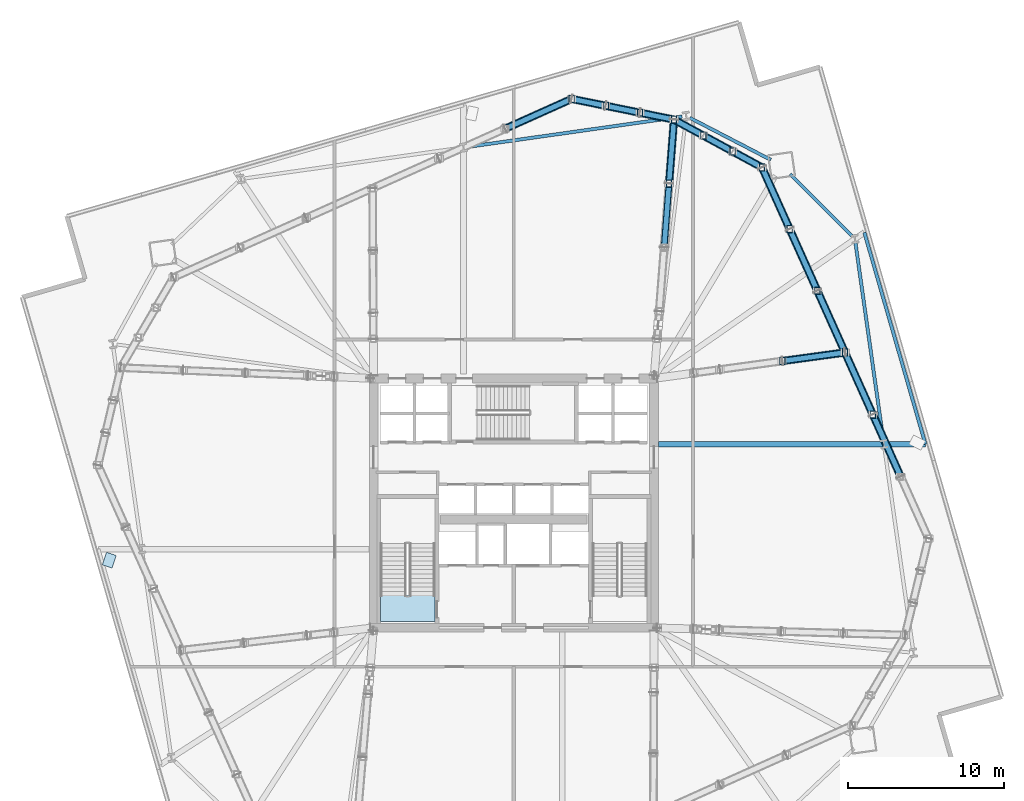
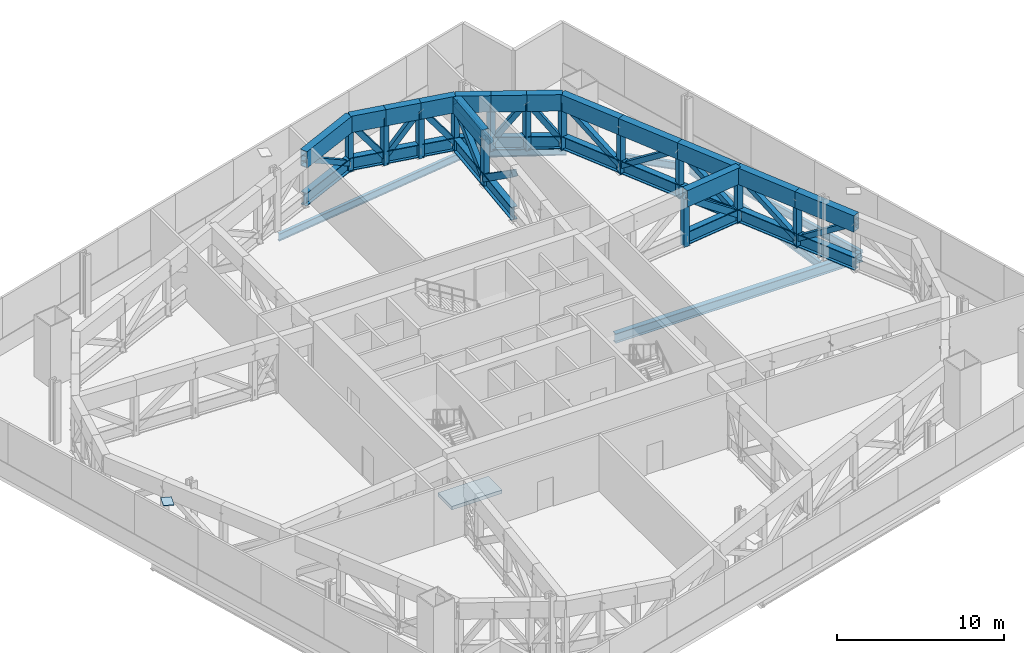
# One storey, part 6 of 19: 57 members, 6 beams, 1 plate, 1 slab.
"""IFC4 building model written with IfcOpenShell, lengths in metres."""

from ifc_helpers import new_model, si_unit, direction, frame, origin, origin_2d, place, context, subcontext, project, spatial, polyline, rectangle, hollow_rectangle, i_section, outline, extrude, source, transform, mapped, material, layer, layer_set, material_profile, profile_set, type_object, element, save


model = new_model("IFC4")

# Units and contexts
model_context = context("Model", 3, precision=1e-05, world=origin(), true_north=direction((0.0, 1.0)))
body_context = subcontext(model_context, "Body", "Model", "MODEL_VIEW")
ifc_project = project(units=[si_unit("LENGTHUNIT", "METRE"), si_unit("AREAUNIT", "SQUARE_METRE"), si_unit("VOLUMEUNIT", "CUBIC_METRE"), si_unit("PLANEANGLEUNIT", "RADIAN"), si_unit("MASSUNIT", "GRAM", prefix="KILO")], contexts=[model_context])

# Site, building, storey
site_placement = place(None, origin())
site = spatial("IfcSite", under=ifc_project, at=site_placement, CompositionType="ELEMENT")
building_placement = place(site_placement, origin())
building = spatial("IfcBuilding", under=site, at=building_placement, Name="Haldenkirk Collegiate Tower", CompositionType="ELEMENT")
storey_placement = place(building_placement, frame((0.0, 0.0, 81.449951171875)))
storey = spatial("IfcBuildingStorey", under=building, at=storey_placement, Name="L19", CompositionType="ELEMENT", Elevation=81.449951171875)

# Beams
ifc_material_1 = material(Name="Steel ASTM A992 Grade 50", Category="steel")
ifc_material_profile_1 = material_profile(ifc_material_1, i_section(OverallWidth=0.35498046875, OverallDepth=0.696044921875, WebThickness=0.015380859375, FlangeThickness=0.02490234375, at=origin_2d()), Name="W27X146")
ifc_profile_set_1 = profile_set([ifc_material_profile_1], Name="Steel ASTM A992 Grade 50")
beam_type_1 = type_object("IfcBeamType", Name="BM-GIRDER-W27X146", PredefinedType="BEAM", material=ifc_profile_set_1)
beam_1_placement = place(storey_placement, frame((62.415283203125, 29.788818359375, -0.758056640625), z_axis=(-1.0, 0.0, 0.0), x_axis=(0.0, -1.0, 0.0)))
element("IfcBeam", 1, at=beam_1_placement, inside=storey, type_object=beam_type_1, Name="L19 primary floor girder 09", PredefinedType="BEAM", context=body_context, shape_type="SweptSolid", body=[
    extrude(i_section(OverallWidth=0.35498046875, OverallDepth=0.696044921875, WebThickness=0.015380859375, FlangeThickness=0.02490234375, at=origin_2d()), origin(), (0.0, 0.0, 1.0), 17.13525390625),
])
ifc_material_profile_2 = material_profile(ifc_material_1, i_section(OverallWidth=0.2119140625, OverallDepth=0.5439453125, WebThickness=0.01318359375, FlangeThickness=0.021240234375, at=origin_2d()), Name="W21X83")
ifc_profile_set_2 = profile_set([ifc_material_profile_2], Name="Steel ASTM A992 Grade 50")
beam_type_2 = type_object("IfcBeamType", Name="BM-SPANDREL-W21X83", PredefinedType="SPANDREL", material=ifc_profile_set_2)
beam_2_placement = place(storey_placement, frame((59.716552734375, 30.050537109375, -0.681884765625), z_axis=(-0.140052642207, 0.990144058918, 0.0), x_axis=(-0.990144058918, -0.140052642207, 0.0)))
element("IfcBeam", 2, at=beam_2_placement, inside=storey, type_object=beam_type_2, Name="L19 perimeter spandrel beam 07", PredefinedType="SPANDREL", context=body_context, shape_type="SweptSolid", body=[
    extrude(i_section(OverallWidth=0.2119140625, OverallDepth=0.5439453125, WebThickness=0.01318359375, FlangeThickness=0.021240234375, at=origin_2d()), origin(), (0.0, 0.0, 1.0), 12.761962890625),
])
beam_3_placement = place(storey_placement, frame((57.70556640625, 43.135986328125, -0.681884765625), z_axis=(-0.706085689957, 0.708126400043, 0.0), x_axis=(-0.708126400043, -0.706085689957, 0.0)))
element("IfcBeam", 3, at=beam_3_placement, inside=storey, type_object=beam_type_2, Name="L19 perimeter spandrel beam 08", PredefinedType="SPANDREL", context=body_context, shape_type="SweptSolid", body=[
    extrude(i_section(OverallWidth=0.2119140625, OverallDepth=0.5439453125, WebThickness=0.01318359375, FlangeThickness=0.021240234375, at=origin_2d()), origin(), (0.0, 0.0, 1.0), 5.622802734375),
])
beam_4_placement = place(storey_placement, frame((52.4921875, 48.029296875, -0.681884765625), z_axis=(-0.887648364794, 0.460521856678, 0.0), x_axis=(-0.460521856678, -0.887648364794, 0.0)))
element("IfcBeam", 4, at=beam_4_placement, inside=storey, type_object=beam_type_2, Name="L19 perimeter spandrel beam 09", PredefinedType="SPANDREL", context=body_context, shape_type="SweptSolid", body=[
    extrude(i_section(OverallWidth=0.2119140625, OverallDepth=0.5439453125, WebThickness=0.01318359375, FlangeThickness=0.021240234375, at=origin_2d()), origin(), (0.0, 0.0, 1.0), 5.848388671875),
])
beam_5_placement = place(storey_placement, frame((46.803955078125, 50.807373046875, -0.681884765625), z_axis=(-0.990146197746, -0.14003752029, 0.0), x_axis=(0.14003752029, -0.990146197746, 0.0)))
element("IfcBeam", 5, at=beam_5_placement, inside=storey, type_object=beam_type_2, Name="L19 perimeter spandrel beam 10", PredefinedType="SPANDREL", context=body_context, shape_type="SweptSolid", body=[
    extrude(i_section(OverallWidth=0.2119140625, OverallDepth=0.5439453125, WebThickness=0.01318359375, FlangeThickness=0.021240234375, at=origin_2d()), origin(), (0.0, 0.0, 1.0), 13.906982421875),
])
beam_6_placement = place(storey_placement, frame((62.415283203125, 29.788818359375, -0.681884765625), z_axis=(-0.277305094503, 0.960781913112, 0.0), x_axis=(-0.960781913112, -0.277305094503, 0.0)))
element("IfcBeam", 6, at=beam_6_placement, inside=storey, type_object=beam_type_2, Name="L19 outer facade edge beam 2", PredefinedType="SPANDREL", context=body_context, shape_type="SweptSolid", body=[
    extrude(i_section(OverallWidth=0.2119140625, OverallDepth=0.5439453125, WebThickness=0.01318359375, FlangeThickness=0.021240234375, at=origin_2d()), origin(), (0.0, 0.0, 1.0), 14.133056640625),
])

# Members
ifc_material_2 = material(Name="Steel ASTM A572 Grade 50", Category="steel")
ifc_material_profile_3 = material_profile(ifc_material_2, hollow_rectangle(XDim=0.5, YDim=1.199951171875, WallThickness=0.050048828125, at=origin_2d()), Name="BOX1200X500X50")
ifc_profile_set_3 = profile_set([ifc_material_profile_3], Name="Steel ASTM A572 Grade 50")
member_type_1 = type_object("IfcMemberType", Name="MBR-CHORD-BOX1200", PredefinedType="CHORD", material=ifc_profile_set_3)
member_1_placement = place(storey_placement, frame((45.964599609375, 46.507568359375, 3.489990234375), z_axis=(0.076896136918, 0.997039108625, 0.0), x_axis=(-0.997039108625, 0.076896136918, 0.0)))
element("IfcMember", 7, at=member_1_placement, inside=storey, type_object=member_type_1, Name="Outrigger Truss L19 Radial 03 top chord 5", PredefinedType="CHORD", context=body_context, shape_type="SweptSolid", body=[
    extrude(hollow_rectangle(XDim=0.5, YDim=1.199951171875, WallThickness=0.050048828125, at=origin_2d()), origin(), (0.0, 0.0, 1.0), 4.11474609375),
])
member_2_placement = place(storey_placement, frame((53.236083984375, 35.12060546875, 3.489990234375), z_axis=(0.990876992047, 0.134769383137, 0.0), x_axis=(-0.134769383137, 0.990876992047, 0.0)))
element("IfcMember", 8, at=member_2_placement, inside=storey, type_object=member_type_1, Name="Outrigger Truss L19 Radial 06 top chord 4", PredefinedType="CHORD", context=body_context, shape_type="SweptSolid", body=[
    extrude(hollow_rectangle(XDim=0.5, YDim=1.199951171875, WallThickness=0.050048828125, at=origin_2d()), origin(), (0.0, 0.0, 1.0), 4.05615234375),
])
for number, where, z_axis, x_axis, name in (
    (9, (60.82421875, 27.707275390625, 3.489990234375), (-0.409112154166, 0.912484106883, 0.0), (-0.912484106883, -0.409112154166, 0.0), "Belt Truss L19-06 top chord 2"),
    (10, (59.039794921875, 31.687255859375, 3.489990234375), (-0.409158757836, 0.912463210703, 0.0), (-0.912463210703, -0.409158757836, 0.0), "Belt Truss L19-06 top chord 3"),
):
    element("IfcMember", number, at=place(storey_placement, frame(where, z_axis=z_axis, x_axis=x_axis)), inside=storey, type_object=member_type_1, Name=name, PredefinedType="CHORD", context=body_context, shape_type="SweptSolid", body=[
        extrude(hollow_rectangle(XDim=0.5, YDim=1.199951171875, WallThickness=0.050048828125, at=origin_2d()), origin(), (0.0, 0.0, 1.0), 4.36181640625),
    ])
member_3_placement = place(storey_placement, frame((57.255126953125, 35.667236328125, 3.489990234375), z_axis=(-0.409133464518, 0.91247455209, 0.0), x_axis=(-0.91247455209, -0.409133464518, 0.0)))
element("IfcMember", 11, at=member_3_placement, inside=storey, type_object=member_type_1, Name="Belt Truss L19-07 top chord 1", PredefinedType="CHORD", context=body_context, shape_type="SweptSolid", body=[
    extrude(hollow_rectangle(XDim=0.5, YDim=1.199951171875, WallThickness=0.050048828125, at=origin_2d()), origin(), (0.0, 0.0, 1.0), 4.338134765625),
])
for number, where, z_axis, x_axis, name in (
    (12, (55.480224609375, 39.625732421875, 3.489990234375), (-0.409112455957, 0.912483971575, 0.0), (-0.912483971575, -0.409112455957, 0.0), "Belt Truss L19-07 top chord 2"),
    (13, (53.705322265625, 43.58447265625, 3.489990234375), (-0.409112455957, 0.912483971575, 0.0), (-0.912483971575, -0.409112455957, 0.0), "Belt Truss L19-07 top chord 3"),
):
    element("IfcMember", number, at=place(storey_placement, frame(where, z_axis=z_axis, x_axis=x_axis)), inside=storey, type_object=member_type_1, Name=name, PredefinedType="CHORD", context=body_context, shape_type="SweptSolid", body=[
        extrude(hollow_rectangle(XDim=0.5, YDim=1.199951171875, WallThickness=0.050048828125, at=origin_2d()), origin(), (0.0, 0.0, 1.0), 4.33837890625),
    ])
member_4_placement = place(storey_placement, frame((51.930419921875, 47.543212890625, 3.489990234375), z_axis=(-0.878856161728, 0.477086833807, 0.0), x_axis=(-0.477086833807, -0.878856161728, 0.0)))
element("IfcMember", 14, at=member_4_placement, inside=storey, type_object=member_type_1, Name="Belt Truss L19-08 top chord 1", PredefinedType="CHORD", context=body_context, shape_type="SweptSolid", body=[
    extrude(hollow_rectangle(XDim=0.5, YDim=1.199951171875, WallThickness=0.050048828125, at=origin_2d()), origin(), (0.0, 0.0, 1.0), 2.142578125),
])
for number, where, z_axis, x_axis, name in (
    (15, (50.04736328125, 48.5654296875, 3.489990234375), (-0.878808383928, 0.477174836236, 0.0), (-0.477174836236, -0.878808383928, 0.0), "Belt Truss L19-08 top chord 2"),
    (16, (48.164306640625, 49.587890625, 3.489990234375), (-0.878882093017, 0.477039061896, 0.0), (-0.477039061896, -0.878882093017, 0.0), "Belt Truss L19-08 top chord 3"),
):
    element("IfcMember", number, at=place(storey_placement, frame(where, z_axis=z_axis, x_axis=x_axis)), inside=storey, type_object=member_type_1, Name=name, PredefinedType="CHORD", context=body_context, shape_type="SweptSolid", body=[
        extrude(hollow_rectangle(XDim=0.5, YDim=1.199951171875, WallThickness=0.050048828125, at=origin_2d()), origin(), (0.0, 0.0, 1.0), 2.142822265625),
    ])
for number, where, z_axis, x_axis, name in (
    (17, (46.281005859375, 50.610107421875, 3.489990234375), (-0.980064236837, 0.198680878984, 0.0), (-0.198680878984, -0.980064236837, 0.0), "Belt Truss L19-09 top chord 1"),
    (18, (44.0927734375, 51.0537109375, 3.489990234375), (-0.980064236837, 0.198680878984, 0.0), (-0.198680878984, -0.980064236837, 0.0), "Belt Truss L19-09 top chord 2"),
    (19, (41.904541015625, 51.497314453125, 3.489990234375), (-0.980064236837, 0.198680878984, 0.0), (-0.198680878984, -0.980064236837, 0.0), "Belt Truss L19-09 top chord 3"),
):
    element("IfcMember", number, at=place(storey_placement, frame(where, z_axis=z_axis, x_axis=x_axis)), inside=storey, type_object=member_type_1, Name=name, PredefinedType="CHORD", context=body_context, shape_type="SweptSolid", body=[
        extrude(hollow_rectangle(XDim=0.5, YDim=1.199951171875, WallThickness=0.050048828125, at=origin_2d()), origin(), (0.0, 0.0, 1.0), 2.232666015625),
    ])
member_5_placement = place(storey_placement, frame((39.71630859375, 51.94091796875, 3.489990234375), z_axis=(-0.912471623482, -0.409139996016, 0.0), x_axis=(0.409139996016, -0.912471623482, 0.0)))
element("IfcMember", 20, at=member_5_placement, inside=storey, type_object=member_type_1, Name="Belt Truss L19-10 top chord 1", PredefinedType="CHORD", context=body_context, shape_type="SweptSolid", body=[
    extrude(hollow_rectangle(XDim=0.5, YDim=1.199951171875, WallThickness=0.050048828125, at=origin_2d()), origin(), (0.0, 0.0, 1.0), 4.668212890625),
])
ifc_material_3 = material(Name="Steel ASTM A913 Grade 65", Category="steel")
ifc_material_profile_4 = material_profile(ifc_material_3, i_section(OverallWidth=0.423095703125, OverallDepth=0.947998046875, WebThickness=0.02392578125, FlangeThickness=0.042724609375, at=origin_2d()), Name="W36X302")
ifc_profile_set_4 = profile_set([ifc_material_profile_4], Name="Steel ASTM A913 Grade 65")
member_type_2 = type_object("IfcMemberType", Name="MBR-CHORD-W36X302", PredefinedType="CHORD", material=ifc_profile_set_4)
member_6_placement = place(storey_placement, frame((45.648193359375, 42.40478515625, 0.550048828125), z_axis=(0.076891588184, 0.997039459433, 0.0), x_axis=(-0.997039459433, 0.076891588184, 0.0)))
element("IfcMember", 21, at=member_6_placement, inside=storey, type_object=member_type_2, Name="Outrigger Truss L19 Radial 03 bottom chord 4", PredefinedType="CHORD", context=body_context, shape_type="SweptSolid", body=[
    extrude(i_section(OverallWidth=0.423095703125, OverallDepth=0.947998046875, WebThickness=0.02392578125, FlangeThickness=0.042724609375, at=origin_2d()), origin(), (0.0, 0.0, 1.0), 4.114990234375),
])
member_7_placement = place(storey_placement, frame((45.964599609375, 46.507568359375, 0.550048828125), z_axis=(0.076896136918, 0.997039108625, 0.0), x_axis=(-0.997039108625, 0.076896136918, 0.0)))
element("IfcMember", 22, at=member_7_placement, inside=storey, type_object=member_type_2, Name="Outrigger Truss L19 Radial 03 bottom chord 5", PredefinedType="CHORD", context=body_context, shape_type="SweptSolid", body=[
    extrude(i_section(OverallWidth=0.423095703125, OverallDepth=0.947998046875, WebThickness=0.02392578125, FlangeThickness=0.042724609375, at=origin_2d()), origin(), (0.0, 0.0, 1.0), 4.11474609375),
])
member_8_placement = place(storey_placement, frame((53.236083984375, 35.12060546875, 0.550048828125), z_axis=(0.990876992047, 0.134769383137, 0.0), x_axis=(-0.134769383137, 0.990876992047, 0.0)))
element("IfcMember", 23, at=member_8_placement, inside=storey, type_object=member_type_2, Name="Outrigger Truss L19 Radial 06 bottom chord 4", PredefinedType="CHORD", context=body_context, shape_type="SweptSolid", body=[
    extrude(i_section(OverallWidth=0.423095703125, OverallDepth=0.947998046875, WebThickness=0.02392578125, FlangeThickness=0.042724609375, at=origin_2d()), origin(), (0.0, 0.0, 1.0), 4.05615234375),
])
for number, where, z_axis, x_axis, name in (
    (24, (60.82421875, 27.707275390625, 0.550048828125), (-0.409112154166, 0.912484106883, 0.0), (-0.912484106883, -0.409112154166, 0.0), "Belt Truss L19-06 bottom chord 2"),
    (25, (59.039794921875, 31.687255859375, 0.550048828125), (-0.409158757836, 0.912463210703, 0.0), (-0.912463210703, -0.409158757836, 0.0), "Belt Truss L19-06 bottom chord 3"),
):
    element("IfcMember", number, at=place(storey_placement, frame(where, z_axis=z_axis, x_axis=x_axis)), inside=storey, type_object=member_type_2, Name=name, PredefinedType="CHORD", context=body_context, shape_type="SweptSolid", body=[
        extrude(i_section(OverallWidth=0.423095703125, OverallDepth=0.947998046875, WebThickness=0.02392578125, FlangeThickness=0.042724609375, at=origin_2d()), origin(), (0.0, 0.0, 1.0), 4.36181640625),
    ])
member_9_placement = place(storey_placement, frame((57.255126953125, 35.667236328125, 0.550048828125), z_axis=(-0.409133464518, 0.91247455209, 0.0), x_axis=(-0.91247455209, -0.409133464518, 0.0)))
element("IfcMember", 26, at=member_9_placement, inside=storey, type_object=member_type_2, Name="Belt Truss L19-07 bottom chord 1", PredefinedType="CHORD", context=body_context, shape_type="SweptSolid", body=[
    extrude(i_section(OverallWidth=0.423095703125, OverallDepth=0.947998046875, WebThickness=0.02392578125, FlangeThickness=0.042724609375, at=origin_2d()), origin(), (0.0, 0.0, 1.0), 4.338134765625),
])
for number, where, z_axis, x_axis, name in (
    (27, (55.480224609375, 39.625732421875, 0.550048828125), (-0.409112455957, 0.912483971575, 0.0), (-0.912483971575, -0.409112455957, 0.0), "Belt Truss L19-07 bottom chord 2"),
    (28, (53.705322265625, 43.58447265625, 0.550048828125), (-0.409112455957, 0.912483971575, 0.0), (-0.912483971575, -0.409112455957, 0.0), "Belt Truss L19-07 bottom chord 3"),
):
    element("IfcMember", number, at=place(storey_placement, frame(where, z_axis=z_axis, x_axis=x_axis)), inside=storey, type_object=member_type_2, Name=name, PredefinedType="CHORD", context=body_context, shape_type="SweptSolid", body=[
        extrude(i_section(OverallWidth=0.423095703125, OverallDepth=0.947998046875, WebThickness=0.02392578125, FlangeThickness=0.042724609375, at=origin_2d()), origin(), (0.0, 0.0, 1.0), 4.33837890625),
    ])
member_10_placement = place(storey_placement, frame((51.930419921875, 47.543212890625, 0.550048828125), z_axis=(-0.878856161728, 0.477086833807, 0.0), x_axis=(-0.477086833807, -0.878856161728, 0.0)))
element("IfcMember", 29, at=member_10_placement, inside=storey, type_object=member_type_2, Name="Belt Truss L19-08 bottom chord 1", PredefinedType="CHORD", context=body_context, shape_type="SweptSolid", body=[
    extrude(i_section(OverallWidth=0.423095703125, OverallDepth=0.947998046875, WebThickness=0.02392578125, FlangeThickness=0.042724609375, at=origin_2d()), origin(), (0.0, 0.0, 1.0), 2.142578125),
])
for number, where, z_axis, x_axis, name in (
    (30, (50.04736328125, 48.5654296875, 0.550048828125), (-0.878808383928, 0.477174836236, 0.0), (-0.477174836236, -0.878808383928, 0.0), "Belt Truss L19-08 bottom chord 2"),
    (31, (48.164306640625, 49.587890625, 0.550048828125), (-0.878882093017, 0.477039061896, 0.0), (-0.477039061896, -0.878882093017, 0.0), "Belt Truss L19-08 bottom chord 3"),
):
    element("IfcMember", number, at=place(storey_placement, frame(where, z_axis=z_axis, x_axis=x_axis)), inside=storey, type_object=member_type_2, Name=name, PredefinedType="CHORD", context=body_context, shape_type="SweptSolid", body=[
        extrude(i_section(OverallWidth=0.423095703125, OverallDepth=0.947998046875, WebThickness=0.02392578125, FlangeThickness=0.042724609375, at=origin_2d()), origin(), (0.0, 0.0, 1.0), 2.142822265625),
    ])
for number, where, z_axis, x_axis, name in (
    (32, (46.281005859375, 50.610107421875, 0.550048828125), (-0.980064236837, 0.198680878984, 0.0), (-0.198680878984, -0.980064236837, 0.0), "Belt Truss L19-09 bottom chord 1"),
    (33, (44.0927734375, 51.0537109375, 0.550048828125), (-0.980064236837, 0.198680878984, 0.0), (-0.198680878984, -0.980064236837, 0.0), "Belt Truss L19-09 bottom chord 2"),
    (34, (41.904541015625, 51.497314453125, 0.550048828125), (-0.980064236837, 0.198680878984, 0.0), (-0.198680878984, -0.980064236837, 0.0), "Belt Truss L19-09 bottom chord 3"),
):
    element("IfcMember", number, at=place(storey_placement, frame(where, z_axis=z_axis, x_axis=x_axis)), inside=storey, type_object=member_type_2, Name=name, PredefinedType="CHORD", context=body_context, shape_type="SweptSolid", body=[
        extrude(i_section(OverallWidth=0.423095703125, OverallDepth=0.947998046875, WebThickness=0.02392578125, FlangeThickness=0.042724609375, at=origin_2d()), origin(), (0.0, 0.0, 1.0), 2.232666015625),
    ])
member_11_placement = place(storey_placement, frame((39.71630859375, 51.94091796875, 0.550048828125), z_axis=(-0.912471623482, -0.409139996016, 0.0), x_axis=(0.409139996016, -0.912471623482, 0.0)))
element("IfcMember", 35, at=member_11_placement, inside=storey, type_object=member_type_2, Name="Belt Truss L19-10 bottom chord 1", PredefinedType="CHORD", context=body_context, shape_type="SweptSolid", body=[
    extrude(i_section(OverallWidth=0.423095703125, OverallDepth=0.947998046875, WebThickness=0.02392578125, FlangeThickness=0.042724609375, at=origin_2d()), origin(), (0.0, 0.0, 1.0), 4.668212890625),
])
ifc_material_profile_5 = material_profile(ifc_material_2, hollow_rectangle(XDim=0.35009765625, YDim=0.35009765625, WallThickness=0.01611328125, at=origin_2d()), Name="HSS350X350X16")
ifc_profile_set_5 = profile_set([ifc_material_profile_5], Name="Steel ASTM A572 Grade 50")
member_type_3 = type_object("IfcMemberType", Name="MBR-TRUSSDIAG-HSS350X350X16", PredefinedType="BRACE", material=ifc_profile_set_5)
for number, where, z_axis, x_axis, name in (
    (36, (60.82421875, 27.707275390625, 3.489990234375), (-0.339243654435, 0.756649343904, -0.558923530812), (-0.912484106883, -0.409112154166, 0.0), "Belt Truss L19-06 web diagonal 2"),
    (37, (59.039794921875, 31.687255859375, 0.550048828125), (-0.339284726303, 0.7566374293, 0.558914729704), (-0.912463210703, -0.409158757836, 0.0), "Belt Truss L19-06 web diagonal 3"),
):
    element("IfcMember", number, at=place(storey_placement, frame(where, z_axis=z_axis, x_axis=x_axis)), inside=storey, type_object=member_type_3, Name=name, PredefinedType="BRACE", context=body_context, shape_type="SweptSolid", body=[
        extrude(hollow_rectangle(XDim=0.35009765625, YDim=0.35009765625, WallThickness=0.01611328125, at=origin_2d()), origin(), (0.0, 0.0, 1.0), 5.260009765625),
    ])
member_12_placement = place(storey_placement, frame((57.255126953125, 35.667236328125, 0.550048828125), z_axis=(-0.338687130379, 0.755360815951, 0.561000058325), x_axis=(-0.91247455209, -0.409133464518, 0.0)))
element("IfcMember", 38, at=member_12_placement, inside=storey, type_object=member_type_3, Name="Belt Truss L19-07 web diagonal 1", PredefinedType="BRACE", context=body_context, shape_type="SweptSolid", body=[
    extrude(hollow_rectangle(XDim=0.35009765625, YDim=0.35009765625, WallThickness=0.01611328125, at=origin_2d()), origin(), (0.0, 0.0, 1.0), 5.240478515625),
])
for number, where, z_axis, x_axis, name in (
    (39, (55.480224609375, 39.625732421875, 3.489990234375), (-0.338675212255, 0.755380820731, -0.560980317191), (-0.912483971575, -0.409112455957, 0.0), "Belt Truss L19-07 web diagonal 2"),
    (40, (53.705322265625, 43.58447265625, 0.550048828125), (-0.338675212255, 0.755380820731, 0.560980317191), (-0.912483971575, -0.409112455957, 0.0), "Belt Truss L19-07 web diagonal 3"),
):
    element("IfcMember", number, at=place(storey_placement, frame(where, z_axis=z_axis, x_axis=x_axis)), inside=storey, type_object=member_type_3, Name=name, PredefinedType="BRACE", context=body_context, shape_type="SweptSolid", body=[
        extrude(hollow_rectangle(XDim=0.35009765625, YDim=0.35009765625, WallThickness=0.01611328125, at=origin_2d()), origin(), (0.0, 0.0, 1.0), 5.24072265625),
    ])
for number, where, z_axis, x_axis, name in (
    (41, (51.930419921875, 47.543212890625, 0.550048828125), (-0.51762640716, 0.280993357549, 0.808149513162), (-0.477086833807, -0.878856161728, 0.0), "Belt Truss L19-08 web diagonal 1"),
    (42, (50.04736328125, 48.5654296875, 3.489990234375), (-0.517616645017, 0.281055167812, -0.808134271917), (-0.477174836236, -0.878808383928, 0.0), "Belt Truss L19-08 web diagonal 2"),
    (43, (48.164306640625, 49.587890625, 0.550048828125), (-0.517675534003, 0.280983596172, 0.808121439003), (-0.477039061896, -0.878882093017, 0.0), "Belt Truss L19-08 web diagonal 3"),
):
    element("IfcMember", number, at=place(storey_placement, frame(where, z_axis=z_axis, x_axis=x_axis)), inside=storey, type_object=member_type_3, Name=name, PredefinedType="BRACE", context=body_context, shape_type="SweptSolid", body=[
        extrude(hollow_rectangle(XDim=0.35009765625, YDim=0.35009765625, WallThickness=0.01611328125, at=origin_2d()), origin(), (0.0, 0.0, 1.0), 3.637939453125),
    ])
for number, where, z_axis, x_axis, name in (
    (44, (46.281005859375, 50.610107421875, 0.550048828125), (-0.592749234316, 0.120163489764, 0.796372451147), (-0.198680878984, -0.980064236837, 0.0), "Belt Truss L19-09 web diagonal 1"),
    (45, (44.0927734375, 51.0537109375, 3.489990234375), (-0.592749234316, 0.120163489764, -0.796372451147), (-0.198680878984, -0.980064236837, 0.0), "Belt Truss L19-09 web diagonal 2"),
    (46, (41.904541015625, 51.497314453125, 0.550048828125), (-0.592749234316, 0.120163489764, 0.796372451147), (-0.198680878984, -0.980064236837, 0.0), "Belt Truss L19-09 web diagonal 3"),
):
    element("IfcMember", number, at=place(storey_placement, frame(where, z_axis=z_axis, x_axis=x_axis)), inside=storey, type_object=member_type_3, Name=name, PredefinedType="BRACE", context=body_context, shape_type="SweptSolid", body=[
        extrude(hollow_rectangle(XDim=0.35009765625, YDim=0.35009765625, WallThickness=0.01611328125, at=origin_2d()), origin(), (0.0, 0.0, 1.0), 3.691650390625),
    ])
member_13_placement = place(storey_placement, frame((39.71630859375, 51.94091796875, 0.550048828125), z_axis=(-0.772106876887, -0.346202332658, 0.532911733334), x_axis=(0.409139996016, -0.912471623482, 0.0)))
element("IfcMember", 47, at=member_13_placement, inside=storey, type_object=member_type_3, Name="Belt Truss L19-10 web diagonal 1", PredefinedType="BRACE", context=body_context, shape_type="SweptSolid", body=[
    extrude(hollow_rectangle(XDim=0.35009765625, YDim=0.35009765625, WallThickness=0.01611328125, at=origin_2d()), origin(), (0.0, 0.0, 1.0), 5.516845703125),
])
ifc_material_profile_6 = material_profile(ifc_material_2, hollow_rectangle(XDim=0.35009765625, YDim=0.449951171875, WallThickness=0.02197265625, at=origin_2d()), Name="HSS450X350X22")
ifc_profile_set_6 = profile_set([ifc_material_profile_6], Name="Steel ASTM A572 Grade 50")
member_type_4 = type_object("IfcMemberType", Name="MBR-TRUSSDIAG-HSS450X350X22", PredefinedType="BRACE", material=ifc_profile_set_6)
member_14_placement = place(storey_placement, frame((45.648193359375, 42.40478515625, 3.489990234375), z_axis=(0.062564367369, 0.811260951886, -0.581327246808), x_axis=(-0.997039459433, 0.076891588184, 0.0)))
element("IfcMember", 48, at=member_14_placement, inside=storey, type_object=member_type_4, Name="Outrigger Truss L19 Radial 03 web diagonal 4", PredefinedType="BRACE", context=body_context, shape_type="SweptSolid", body=[
    extrude(hollow_rectangle(XDim=0.35009765625, YDim=0.449951171875, WallThickness=0.02197265625, at=origin_2d()), origin(), (0.0, 0.0, 1.0), 5.057373046875),
])
member_15_placement = place(storey_placement, frame((45.964599609375, 46.507568359375, 0.550048828125), z_axis=(0.062566817686, 0.811244447842, 0.581350014337), x_axis=(-0.997039108625, 0.076896136918, 0.0)))
element("IfcMember", 49, at=member_15_placement, inside=storey, type_object=member_type_4, Name="Outrigger Truss L19 Radial 03 web diagonal 5", PredefinedType="BRACE", context=body_context, shape_type="SweptSolid", body=[
    extrude(hollow_rectangle(XDim=0.35009765625, YDim=0.449951171875, WallThickness=0.02197265625, at=origin_2d()), origin(), (0.0, 0.0, 1.0), 5.05712890625),
])
member_16_placement = place(storey_placement, frame((53.236083984375, 35.12060546875, 3.489990234375), z_axis=(0.802289418382, 0.109119548521, -0.586877000131), x_axis=(-0.134769383137, 0.990876992047, 0.0)))
element("IfcMember", 50, at=member_16_placement, inside=storey, type_object=member_type_4, Name="Outrigger Truss L19 Radial 06 web diagonal 4", PredefinedType="BRACE", context=body_context, shape_type="SweptSolid", body=[
    extrude(hollow_rectangle(XDim=0.35009765625, YDim=0.449951171875, WallThickness=0.02197265625, at=origin_2d()), origin(), (0.0, 0.0, 1.0), 5.009521484375),
])
ifc_material_profile_7 = material_profile(ifc_material_2, hollow_rectangle(XDim=0.35009765625, YDim=0.449951171875, WallThickness=0.02197265625, at=origin_2d()), Name="HSS450X350X22")
ifc_profile_set_7 = profile_set([ifc_material_profile_7], Name="Steel ASTM A572 Grade 50")
member_type_5 = type_object("IfcMemberType", Name="MBR-TRUSSPOST-HSS450X350X22", PredefinedType="POST", material=ifc_profile_set_7)
for number, where, z_axis, x_axis, name in (
    (51, (45.964599609375, 46.507568359375, 0.0), (0.0, 0.0, 1.0), (1.0, 0.0, 0.0), "Outrigger Truss L19 Radial 03 vertical post 5"),
    (52, (46.281005859375, 50.610107421875, 0.0), (0.0, 0.0, 1.0), (1.0, 0.0, 0.0), "Outrigger Truss L19 Radial 03 vertical post 6"),
    (53, (53.236083984375, 35.12060546875, 0.0), (0.0, 0.0, 1.0), (1.0, 0.0, 0.0), "Outrigger Truss L19 Radial 06 vertical post 4"),
    (54, (57.255126953125, 35.667236328125, 0.0), (0.0, 0.0, 1.0), (1.0, 0.0, 0.0), "Outrigger Truss L19 Radial 06 vertical post 5"),
    (55, (59.039794921875, 31.687255859375, 0.0), (0.0, 0.0, 1.0), (1.0, 0.0, 0.0), "Belt Truss L19-06 vertical post 3"),
    (56, (55.480224609375, 39.625732421875, 0.0), (0.0, 0.0, 1.0), (1.0, 0.0, 0.0), "Belt Truss L19-07 vertical post 2"),
    (57, (53.705322265625, 43.58447265625, 0.0), (0.0, 0.0, 1.0), (1.0, 0.0, 0.0), "Belt Truss L19-07 vertical post 3"),
    (58, (51.930419921875, 47.543212890625, 0.0), (0.0, 0.0, 1.0), (1.0, 0.0, 0.0), "Belt Truss L19-07 vertical post 4"),
    (59, (50.04736328125, 48.5654296875, 0.0), (0.0, 0.0, 1.0), (1.0, 0.0, 0.0), "Belt Truss L19-08 vertical post 2"),
    (60, (48.164306640625, 49.587890625, 0.0), (0.0, 0.0, 1.0), (1.0, 0.0, 0.0), "Belt Truss L19-08 vertical post 3"),
    (61, (44.0927734375, 51.0537109375, 0.0), (0.0, 0.0, 1.0), (1.0, 0.0, 0.0), "Belt Truss L19-09 vertical post 2"),
    (62, (41.904541015625, 51.497314453125, 0.0), (0.0, 0.0, 1.0), (1.0, 0.0, 0.0), "Belt Truss L19-09 vertical post 3"),
    (63, (39.71630859375, 51.94091796875, 0.0), (0.0, 0.0, 1.0), (1.0, 0.0, 0.0), "Belt Truss L19-09 vertical post 4"),
):
    element("IfcMember", number, at=place(storey_placement, frame(where, z_axis=z_axis, x_axis=x_axis)), inside=storey, type_object=member_type_5, Name=name, PredefinedType="POST", context=body_context, shape_type="SweptSolid", body=[
        extrude(hollow_rectangle(XDim=0.35009765625, YDim=0.449951171875, WallThickness=0.02197265625, at=origin_2d()), origin(), (0.0, 0.0, 1.0), 3.489990234375),
    ])

# Slab
ifc_material_4 = material(Name="Concrete f'c 40 MPa", Category="concrete")
ifc_layer_1 = layer(ifc_material_4, 0.25)
ifc_layer_set_1 = layer_set([ifc_layer_1], Name="Concrete f'c 40 MPa")
slab_type = type_object("IfcSlabType", Name="SLB-STAIRLAND-250", PredefinedType="LANDING", material=ifc_layer_set_1)
slab_placement = place(storey_placement, frame((0.0, 0.0, -0.25)))
element("IfcSlab", 64, at=slab_placement, inside=storey, type_object=slab_type, Name="L19 stair ST1 structural floor landing slab", PredefinedType="LANDING", context=body_context, shape_type="SweptSolid", body=[
    extrude(outline(polyline([(27.4599609375, 18.409912109375), (30.93994140625, 18.409912109375), (30.93994140625, 20.080078125), (27.4599609375, 20.080078125), (27.4599609375, 18.409912109375)])), origin(), (0.0, 0.0, 1.0), 0.25),
])

# Plate
ifc_layer_2 = layer(ifc_material_2, 0.034912109375)
ifc_layer_set_2 = layer_set([ifc_layer_2], Name="Steel ASTM A572 Grade 50")
plate_type = type_object("IfcPlateType", Name="PLT-CAP-EXT-760X600", PredefinedType="USERDEFINED", material=ifc_layer_set_2)
shared_shape = source(origin(), body_context, "Body", "SweptSolid", [
    extrude(rectangle(XDim=0.860107421875, YDim=0.659912109375, at=origin_2d()), origin(), (0.0, 0.0, 1.0), 0.034912109375),
])
plate_placement = place(storey_placement, frame((10.037353515625, 22.341064453125, 4.0771484375), z_axis=(0.032418013181, -0.010859004415, 0.999415406347), x_axis=(0.317627814632, 0.948215466744, -1.86851e-07)))
element("IfcPlate", 65, at=plate_placement, inside=storey, type_object=plate_type, Name="Perimeter Mega Brace Z1 L17-L19 WL end cap plate 2", ObjectType="END CAP PLATE", PredefinedType="USERDEFINED", context=body_context, shape_type="MappedRepresentation", body=[
    mapped(shared_shape, transform((0.0, 0.0, 0.0), x_axis=(1.0, 0.0, 0.0), y_axis=(0.0, 1.0, 0.0), z_axis=(0.0, 0.0, 1.0), scale=1.0)),
])

save(model, "model.ifc")
